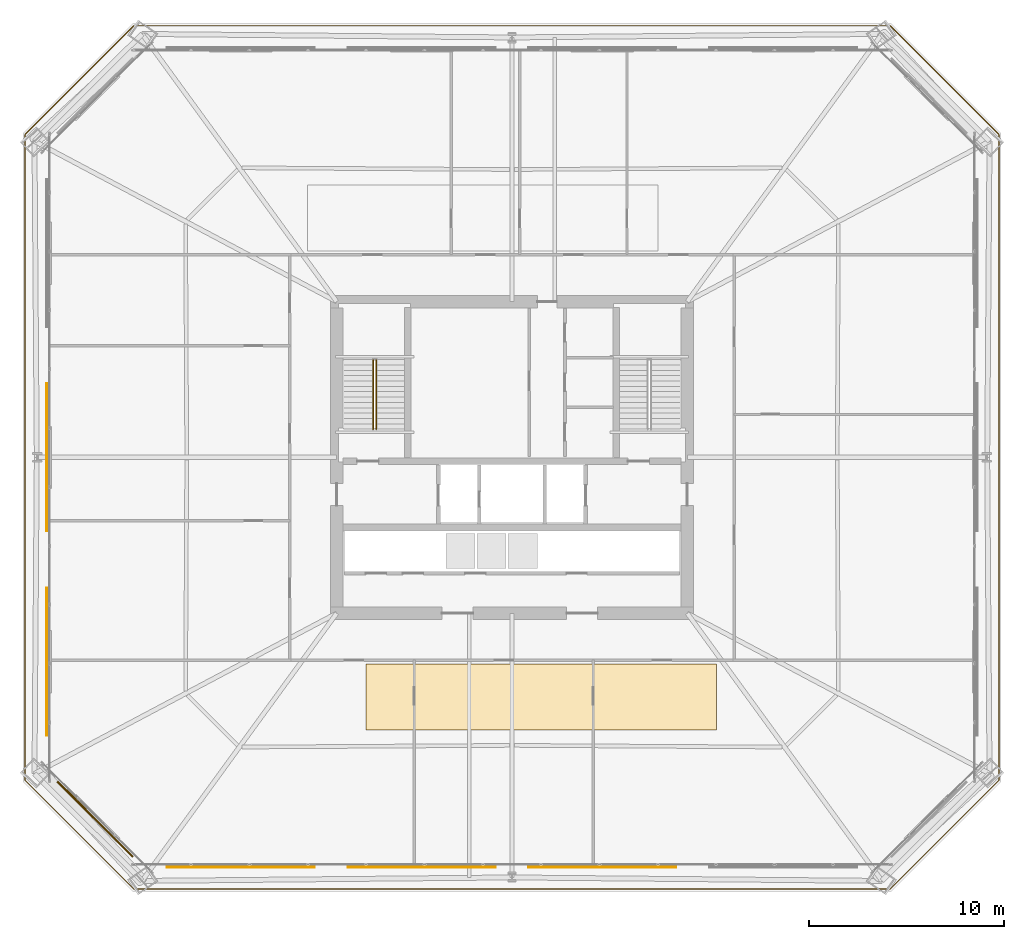
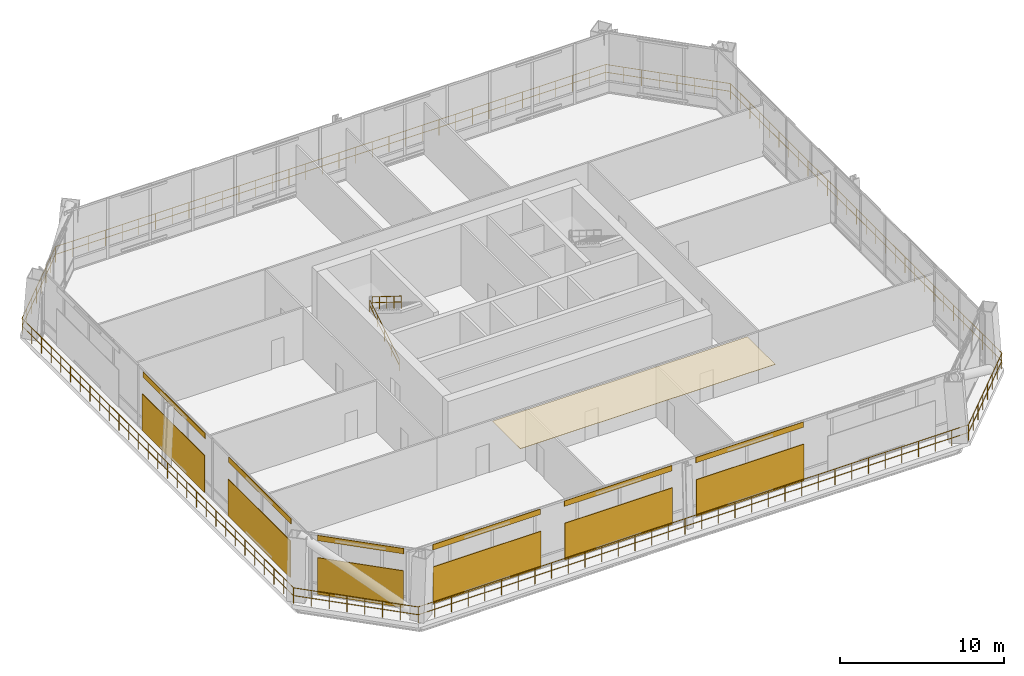
# One storey, part 45 of 48: 7 coverings, 6 shading devices, 3 railings.
"""IFC4 building model written with IfcOpenShell, lengths in metres."""

from ifc_helpers import new_model, si_unit, direction, frame, origin, origin_2d, place, context, subcontext, project, spatial, polyline, rectangle, circle, outline, extrude, material, layer, layer_set, type_object, element, save


model = new_model("IFC4")

# Units and contexts
model_context = context("Model", 3, precision=1e-05, world=origin(), true_north=direction((0.0, 1.0)))
body_context = subcontext(model_context, "Body", "Model", "MODEL_VIEW")
ifc_project = project(units=[si_unit("LENGTHUNIT", "METRE"), si_unit("AREAUNIT", "SQUARE_METRE"), si_unit("VOLUMEUNIT", "CUBIC_METRE"), si_unit("PLANEANGLEUNIT", "RADIAN"), si_unit("MASSUNIT", "GRAM", prefix="KILO")], contexts=[model_context])

# Site, building, storey
site_placement = place(None, origin())
site = spatial("IfcSite", under=ifc_project, at=site_placement, CompositionType="ELEMENT")
building_placement = place(site_placement, origin())
building = spatial("IfcBuilding", under=site, at=building_placement, Name="Caelvoria Tower", CompositionType="ELEMENT")
storey_placement = place(building_placement, frame((0.0, 0.0, 90.39990234375)))
storey = spatial("IfcBuildingStorey", under=building, at=storey_placement, Name="L23", CompositionType="ELEMENT", Elevation=90.39990234375)

# Coverings
ifc_material_1 = material(Name="Acoustic Mineral Fibre Tile", Category="gypsum")
ifc_layer_1 = layer(ifc_material_1, 0.02490234375, Name="Acoustic Mineral Fibre Tile")
ifc_layer_set_1 = layer_set([ifc_layer_1], Name="Mineral-Fibre Acoustic Suspended Ceiling 25 - Acoustic Mineral Fibre Tile")
covering_type_1 = type_object("IfcCoveringType", Name="Mineral-Fibre Acoustic Suspended Ceiling 25", PredefinedType="CEILING", material=ifc_layer_set_1)
covering_1_placement = place(storey_placement, frame((0.0, 0.0, 3.835205078125)))
element("IfcCovering", 1, at=covering_1_placement, inside=storey, type_object=covering_type_1, Name="Suspended Acoustic Ceiling L23", PredefinedType="CEILING", context=body_context, shape_type="SweptSolid", body=[
    extrude(outline(polyline([(38.5, 18.0), (56.5, 18.0), (56.5, 21.39990234375), (38.5, 21.39990234375), (38.5, 18.0)])), origin(), (0.0, 0.0, 1.0), 0.02490234375),
])
ifc_material_2 = material(Name="Perforated Architectural Bronze Cladding Screen", Category="bronze")
ifc_layer_2 = layer(ifc_material_2, 0.0400390625, Name="Perforated Architectural Bronze Cladding Screen")
ifc_layer_set_2 = layer_set([ifc_layer_2], Name="Perforated Bronze Louvre Cladding Band 40 - Perforated Architectural Bronze Cladding Screen")
covering_type_2 = type_object("IfcCoveringType", Name="Perforated Bronze Louvre Cladding Band 40", PredefinedType="CLADDING", material=ifc_layer_set_2)
for number, where, z_axis, x_axis, name in (
    (2, (32.074951171875, 10.99462890625, 4.14013671875), (0.0, 0.0, 1.0), (1.0, 0.0, 0.0), "Perforated Bronze Screen Band L23-E0-00"),
    (3, (41.3583984375, 10.99462890625, 4.14013671875), (0.0, 0.0, 1.0), (1.0, 0.0, 0.0), "Perforated Bronze Screen Band L23-E0-01"),
    (4, (50.6416015625, 10.99462890625, 4.14013671875), (0.0, 0.0, 1.0), (1.0, 0.0, 0.0), "Perforated Bronze Screen Band L23-E0-02"),
    (5, (22.161376953125, 32.0, 4.14013671875), (0.0, 0.0, 1.0), (0.0, -1.0, 0.0), "Perforated Bronze Screen Band L23-E6-01"),
    (6, (22.161376953125, 21.510986328125, 4.14013671875), (0.0, 0.0, 1.0), (0.0, -1.0, 0.0), "Perforated Bronze Screen Band L23-E6-02"),
):
    element("IfcCovering", number, at=place(storey_placement, frame(where, z_axis=z_axis, x_axis=x_axis)), inside=storey, type_object=covering_type_2, Name=name, PredefinedType="CLADDING", context=body_context, shape_type="SweptSolid", body=[
        extrude(rectangle(XDim=7.60009765625, YDim=0.0400390625, at=origin_2d()), origin(), (0.0, 0.0, 1.0), 0.39990234375),
    ])
covering_2_placement = place(storey_placement, frame((24.612060546875, 13.4453125, 4.14013671875), z_axis=(0.0, 0.0, 1.0), x_axis=(0.707106781187, -0.707106781187, 0.0)))
element("IfcCovering", 7, at=covering_2_placement, inside=storey, type_object=covering_type_2, Name="Perforated Bronze Screen Band L23-E7-00", PredefinedType="CLADDING", context=body_context, shape_type="SweptSolid", body=[
    extrude(rectangle(XDim=5.447509765625, YDim=0.0400390625, at=origin_2d()), origin(), (0.0, 0.0, 1.0), 0.39990234375),
])

# Shading devices
ifc_material_3 = material(Name="Perforated Architectural Bronze Alloy Panel", Category="bronze")
ifc_layer_3 = layer(ifc_material_3, 0.044921875, Name="Perforated Architectural Bronze Alloy Panel")
ifc_layer_set_3 = layer_set([ifc_layer_3], Name="Perforated Bronze Solar Screen Panel SCREEN - Perforated Architectural Bronze Alloy Panel")
shading_device_type = type_object("IfcShadingDeviceType", Name="Perforated Bronze Solar Screen Panel SCREEN", PredefinedType="USERDEFINED", material=ifc_layer_set_3)
for number, where, z_axis, x_axis, name in (
    (8, (32.074951171875, 10.95166015625, 0.16015625), (0.0, 0.0, 1.0), (1.0, 0.0, 0.0), "Perforated Bronze Solar Screen L23-E0-00"),
    (9, (41.3583984375, 10.95166015625, 0.16015625), (0.0, 0.0, 1.0), (1.0, 0.0, 0.0), "Perforated Bronze Solar Screen L23-E0-01"),
    (10, (50.6416015625, 10.95166015625, 0.16015625), (0.0, 0.0, 1.0), (1.0, 0.0, 0.0), "Perforated Bronze Solar Screen L23-E0-02"),
    (11, (22.118408203125, 32.0, 0.16015625), (0.0, 0.0, 1.0), (0.0, -1.0, 0.0), "Perforated Bronze Solar Screen L23-E6-01"),
    (12, (22.118408203125, 21.510986328125, 0.16015625), (0.0, 0.0, 1.0), (0.0, -1.0, 0.0), "Perforated Bronze Solar Screen L23-E6-02"),
):
    element("IfcShadingDevice", number, at=place(storey_placement, frame(where, z_axis=z_axis, x_axis=x_axis)), inside=storey, type_object=shading_device_type, Name=name, ObjectType="SCREEN", PredefinedType="USERDEFINED", context=body_context, shape_type="SweptSolid", body=[
        extrude(rectangle(XDim=7.60009765625, YDim=0.044921875, at=origin_2d()), origin(), (0.0, 0.0, 1.0), 2.75),
    ])
shading_device_placement = place(storey_placement, frame((24.58154296875, 13.4150390625, 0.16015625), z_axis=(0.0, 0.0, 1.0), x_axis=(0.707106781187, -0.707106781187, 0.0)))
element("IfcShadingDevice", 13, at=shading_device_placement, inside=storey, type_object=shading_device_type, Name="Perforated Bronze Solar Screen L23-E7-00", ObjectType="SCREEN", PredefinedType="USERDEFINED", context=body_context, shape_type="SweptSolid", body=[
    extrude(rectangle(XDim=5.447509765625, YDim=0.044921875, at=origin_2d()), origin(), (0.0, 0.0, 1.0), 2.75),
])

# Railings
ifc_material_4 = material(Name="Laminated Structural Glass and Bronze Cap Rail", Category="glass")
railing_type_1 = type_object("IfcRailingType", Name="Sky Pool and Podium Glazed Balustrade 1200", PredefinedType="BALUSTRADE", material=ifc_material_4)
railing_1_placement = place(storey_placement, frame((26.5830078125, 9.836669921875, 0.0)))
element("IfcRailing", 14, at=railing_1_placement, inside=storey, type_object=railing_type_1, Name="Sky Lobby L23 Perimeter Maintenance Balustrade", PredefinedType="BALUSTRADE", context=body_context, shape_type="SweptSolid", body=[
    extrude(circle(Radius=0.02392578125, at=origin_2d()), frame((0.0, 0.0, 1.17578125), z_axis=(-0.707091311268, 0.707122250767, 0.0), x_axis=(-0.707122250767, -0.707091311268, 0.0)), (0.0, 0.0, 1.0), 7.890869140625),
    extrude(circle(Radius=0.02392578125, at=origin_2d()), frame((0.0, 0.0, 0.60009765625), z_axis=(-0.707091311268, 0.707122250767, 0.0), x_axis=(-0.707122250767, -0.707091311268, 0.0)), (0.0, 0.0, 1.0), 7.890869140625),
    extrude(circle(Radius=0.02392578125, at=origin_2d()), frame((-5.57958984375, 5.579833984375, 1.17578125), z_axis=(0.0, 1.0, 0.0), x_axis=(-1.0, 0.0, 0.0)), (0.0, 0.0, 1.0), 33.1669921875),
    extrude(circle(Radius=0.02392578125, at=origin_2d()), frame((-5.57958984375, 5.579833984375, 0.60009765625), z_axis=(0.0, 1.0, 0.0), x_axis=(-1.0, 0.0, 0.0)), (0.0, 0.0, 1.0), 33.1669921875),
    extrude(circle(Radius=0.02392578125, at=origin_2d()), frame((-5.57958984375, 38.746826171875, 1.17578125), z_axis=(0.707091311268, 0.707122250767, 0.0), x_axis=(-0.707122250767, 0.707091311268, 0.0)), (0.0, 0.0, 1.0), 7.890869140625),
    extrude(circle(Radius=0.02392578125, at=origin_2d()), frame((-5.57958984375, 38.746826171875, 0.60009765625), z_axis=(0.707091311268, 0.707122250767, 0.0), x_axis=(-0.707122250767, 0.707091311268, 0.0)), (0.0, 0.0, 1.0), 7.890869140625),
    extrude(circle(Radius=0.02392578125, at=origin_2d()), frame((0.0, 44.32666015625, 1.17578125), z_axis=(1.0, 0.0, 0.0), x_axis=(0.0, 1.0, 0.0)), (0.0, 0.0, 1.0), 38.833984375),
    extrude(circle(Radius=0.02392578125, at=origin_2d()), frame((0.0, 44.32666015625, 0.60009765625), z_axis=(1.0, 0.0, 0.0), x_axis=(0.0, 1.0, 0.0)), (0.0, 0.0, 1.0), 38.833984375),
    extrude(circle(Radius=0.02392578125, at=origin_2d()), frame((38.833984375, 44.32666015625, 1.17578125), z_axis=(0.707091311268, -0.707122250767, 0.0), x_axis=(0.707122250767, 0.707091311268, 0.0)), (0.0, 0.0, 1.0), 7.890869140625),
    extrude(circle(Radius=0.02392578125, at=origin_2d()), frame((38.833984375, 44.32666015625, 0.60009765625), z_axis=(0.707091311268, -0.707122250767, 0.0), x_axis=(0.707122250767, 0.707091311268, 0.0)), (0.0, 0.0, 1.0), 7.890869140625),
    extrude(circle(Radius=0.02392578125, at=origin_2d()), frame((44.41357421875, 38.746826171875, 1.17578125), z_axis=(0.0, -1.0, 0.0), x_axis=(1.0, 0.0, 0.0)), (0.0, 0.0, 1.0), 33.1669921875),
    extrude(circle(Radius=0.02392578125, at=origin_2d()), frame((44.41357421875, 38.746826171875, 0.60009765625), z_axis=(0.0, -1.0, 0.0), x_axis=(1.0, 0.0, 0.0)), (0.0, 0.0, 1.0), 33.1669921875),
    extrude(circle(Radius=0.02392578125, at=origin_2d()), frame((44.41357421875, 5.579833984375, 1.17578125), z_axis=(-0.707091311268, -0.707122250767, 0.0), x_axis=(0.707122250767, -0.707091311268, 0.0)), (0.0, 0.0, 1.0), 7.890869140625),
    extrude(circle(Radius=0.02392578125, at=origin_2d()), frame((44.41357421875, 5.579833984375, 0.60009765625), z_axis=(-0.707091311268, -0.707122250767, 0.0), x_axis=(0.707122250767, -0.707091311268, 0.0)), (0.0, 0.0, 1.0), 7.890869140625),
    extrude(circle(Radius=0.02392578125, at=origin_2d()), frame((38.833984375, 0.0, 1.17578125), z_axis=(-1.0, 0.0, 0.0), x_axis=(0.0, -1.0, 0.0)), (0.0, 0.0, 1.0), 38.833984375),
    extrude(circle(Radius=0.02392578125, at=origin_2d()), frame((38.833984375, 0.0, 0.60009765625), z_axis=(-1.0, 0.0, 0.0), x_axis=(0.0, -1.0, 0.0)), (0.0, 0.0, 1.0), 38.833984375),
    extrude(circle(Radius=0.02099609375, at=origin_2d()), origin(), (0.0, 0.0, 1.0), 1.15185546875),
    extrude(circle(Radius=0.02099609375, at=origin_2d()), frame((-0.797119140625, 0.797119140625, 0.0)), (0.0, 0.0, 1.0), 1.15185546875),
    extrude(circle(Radius=0.02099609375, at=origin_2d()), frame((-1.59423828125, 1.59423828125, 0.0)), (0.0, 0.0, 1.0), 1.15185546875),
    extrude(circle(Radius=0.02099609375, at=origin_2d()), frame((-2.391357421875, 2.391357421875, 0.0)), (0.0, 0.0, 1.0), 1.15185546875),
    extrude(circle(Radius=0.02099609375, at=origin_2d()), frame((-3.188232421875, 3.1884765625, 0.0)), (0.0, 0.0, 1.0), 1.15185546875),
    extrude(circle(Radius=0.02099609375, at=origin_2d()), frame((-3.9853515625, 3.985595703125, 0.0)), (0.0, 0.0, 1.0), 1.15185546875),
    extrude(circle(Radius=0.02099609375, at=origin_2d()), frame((-4.782470703125, 4.78271484375, 0.0)), (0.0, 0.0, 1.0), 1.15185546875),
    extrude(circle(Radius=0.02099609375, at=origin_2d()), frame((-5.57958984375, 5.579833984375, 0.0)), (0.0, 0.0, 1.0), 1.15185546875),
    extrude(circle(Radius=0.02099609375, at=origin_2d()), frame((-5.57958984375, 6.764404296875, 0.0)), (0.0, 0.0, 1.0), 1.15185546875),
    extrude(circle(Radius=0.02099609375, at=origin_2d()), frame((-5.57958984375, 7.948974609375, 0.0)), (0.0, 0.0, 1.0), 1.15185546875),
    extrude(circle(Radius=0.02099609375, at=origin_2d()), frame((-5.57958984375, 9.133544921875, 0.0)), (0.0, 0.0, 1.0), 1.15185546875),
    extrude(circle(Radius=0.02099609375, at=origin_2d()), frame((-5.57958984375, 10.31787109375, 0.0)), (0.0, 0.0, 1.0), 1.15185546875),
    extrude(circle(Radius=0.02099609375, at=origin_2d()), frame((-5.57958984375, 11.50244140625, 0.0)), (0.0, 0.0, 1.0), 1.15185546875),
    extrude(circle(Radius=0.02099609375, at=origin_2d()), frame((-5.57958984375, 12.68701171875, 0.0)), (0.0, 0.0, 1.0), 1.15185546875),
    extrude(circle(Radius=0.02099609375, at=origin_2d()), frame((-5.57958984375, 13.87158203125, 0.0)), (0.0, 0.0, 1.0), 1.15185546875),
    extrude(circle(Radius=0.02099609375, at=origin_2d()), frame((-5.57958984375, 15.05615234375, 0.0)), (0.0, 0.0, 1.0), 1.15185546875),
    extrude(circle(Radius=0.02099609375, at=origin_2d()), frame((-5.57958984375, 16.24072265625, 0.0)), (0.0, 0.0, 1.0), 1.15185546875),
    extrude(circle(Radius=0.02099609375, at=origin_2d()), frame((-5.57958984375, 17.42529296875, 0.0)), (0.0, 0.0, 1.0), 1.15185546875),
    extrude(circle(Radius=0.02099609375, at=origin_2d()), frame((-5.57958984375, 18.609619140625, 0.0)), (0.0, 0.0, 1.0), 1.15185546875),
    extrude(circle(Radius=0.02099609375, at=origin_2d()), frame((-5.57958984375, 19.794189453125, 0.0)), (0.0, 0.0, 1.0), 1.15185546875),
    extrude(circle(Radius=0.02099609375, at=origin_2d()), frame((-5.57958984375, 20.978759765625, 0.0)), (0.0, 0.0, 1.0), 1.15185546875),
    extrude(circle(Radius=0.02099609375, at=origin_2d()), frame((-5.57958984375, 22.163330078125, 0.0)), (0.0, 0.0, 1.0), 1.15185546875),
    extrude(circle(Radius=0.02099609375, at=origin_2d()), frame((-5.57958984375, 23.347900390625, 0.0)), (0.0, 0.0, 1.0), 1.15185546875),
    extrude(circle(Radius=0.02099609375, at=origin_2d()), frame((-5.57958984375, 24.532470703125, 0.0)), (0.0, 0.0, 1.0), 1.15185546875),
    extrude(circle(Radius=0.02099609375, at=origin_2d()), frame((-5.57958984375, 25.717041015625, 0.0)), (0.0, 0.0, 1.0), 1.15185546875),
    extrude(circle(Radius=0.02099609375, at=origin_2d()), frame((-5.57958984375, 26.9013671875, 0.0)), (0.0, 0.0, 1.0), 1.15185546875),
    extrude(circle(Radius=0.02099609375, at=origin_2d()), frame((-5.57958984375, 28.0859375, 0.0)), (0.0, 0.0, 1.0), 1.15185546875),
    extrude(circle(Radius=0.02099609375, at=origin_2d()), frame((-5.57958984375, 29.2705078125, 0.0)), (0.0, 0.0, 1.0), 1.15185546875),
    extrude(circle(Radius=0.02099609375, at=origin_2d()), frame((-5.57958984375, 30.455078125, 0.0)), (0.0, 0.0, 1.0), 1.15185546875),
    extrude(circle(Radius=0.02099609375, at=origin_2d()), frame((-5.57958984375, 31.6396484375, 0.0)), (0.0, 0.0, 1.0), 1.15185546875),
    extrude(circle(Radius=0.02099609375, at=origin_2d()), frame((-5.57958984375, 32.82421875, 0.0)), (0.0, 0.0, 1.0), 1.15185546875),
    extrude(circle(Radius=0.02099609375, at=origin_2d()), frame((-5.57958984375, 34.0087890625, 0.0)), (0.0, 0.0, 1.0), 1.15185546875),
    extrude(circle(Radius=0.02099609375, at=origin_2d()), frame((-5.57958984375, 35.193115234375, 0.0)), (0.0, 0.0, 1.0), 1.15185546875),
    extrude(circle(Radius=0.02099609375, at=origin_2d()), frame((-5.57958984375, 36.377685546875, 0.0)), (0.0, 0.0, 1.0), 1.15185546875),
    extrude(circle(Radius=0.02099609375, at=origin_2d()), frame((-5.57958984375, 37.562255859375, 0.0)), (0.0, 0.0, 1.0), 1.15185546875),
    extrude(circle(Radius=0.02099609375, at=origin_2d()), frame((-5.57958984375, 38.746826171875, 0.0)), (0.0, 0.0, 1.0), 1.15185546875),
    extrude(circle(Radius=0.02099609375, at=origin_2d()), frame((-4.782470703125, 39.5439453125, 0.0)), (0.0, 0.0, 1.0), 1.15185546875),
    extrude(circle(Radius=0.02099609375, at=origin_2d()), frame((-3.9853515625, 40.341064453125, 0.0)), (0.0, 0.0, 1.0), 1.15185546875),
    extrude(circle(Radius=0.02099609375, at=origin_2d()), frame((-3.188232421875, 41.13818359375, 0.0)), (0.0, 0.0, 1.0), 1.15185546875),
    extrude(circle(Radius=0.02099609375, at=origin_2d()), frame((-2.391357421875, 41.935302734375, 0.0)), (0.0, 0.0, 1.0), 1.15185546875),
    extrude(circle(Radius=0.02099609375, at=origin_2d()), frame((-1.59423828125, 42.732421875, 0.0)), (0.0, 0.0, 1.0), 1.15185546875),
    extrude(circle(Radius=0.02099609375, at=origin_2d()), frame((-0.797119140625, 43.529541015625, 0.0)), (0.0, 0.0, 1.0), 1.15185546875),
    extrude(circle(Radius=0.02099609375, at=origin_2d()), frame((0.0, 44.32666015625, 0.0)), (0.0, 0.0, 1.0), 1.15185546875),
    extrude(circle(Radius=0.02099609375, at=origin_2d()), frame((1.1767578125, 44.32666015625, 0.0)), (0.0, 0.0, 1.0), 1.15185546875),
    extrude(circle(Radius=0.02099609375, at=origin_2d()), frame((2.353515625, 44.32666015625, 0.0)), (0.0, 0.0, 1.0), 1.15185546875),
    extrude(circle(Radius=0.02099609375, at=origin_2d()), frame((3.5302734375, 44.32666015625, 0.0)), (0.0, 0.0, 1.0), 1.15185546875),
    extrude(circle(Radius=0.02099609375, at=origin_2d()), frame((4.70703125, 44.32666015625, 0.0)), (0.0, 0.0, 1.0), 1.15185546875),
    extrude(circle(Radius=0.02099609375, at=origin_2d()), frame((5.884033203125, 44.32666015625, 0.0)), (0.0, 0.0, 1.0), 1.15185546875),
    extrude(circle(Radius=0.02099609375, at=origin_2d()), frame((7.060791015625, 44.32666015625, 0.0)), (0.0, 0.0, 1.0), 1.15185546875),
    extrude(circle(Radius=0.02099609375, at=origin_2d()), frame((8.237548828125, 44.32666015625, 0.0)), (0.0, 0.0, 1.0), 1.15185546875),
    extrude(circle(Radius=0.02099609375, at=origin_2d()), frame((9.414306640625, 44.32666015625, 0.0)), (0.0, 0.0, 1.0), 1.15185546875),
    extrude(circle(Radius=0.02099609375, at=origin_2d()), frame((10.591064453125, 44.32666015625, 0.0)), (0.0, 0.0, 1.0), 1.15185546875),
    extrude(circle(Radius=0.02099609375, at=origin_2d()), frame((11.767822265625, 44.32666015625, 0.0)), (0.0, 0.0, 1.0), 1.15185546875),
    extrude(circle(Radius=0.02099609375, at=origin_2d()), frame((12.944580078125, 44.32666015625, 0.0)), (0.0, 0.0, 1.0), 1.15185546875),
    extrude(circle(Radius=0.02099609375, at=origin_2d()), frame((14.121337890625, 44.32666015625, 0.0)), (0.0, 0.0, 1.0), 1.15185546875),
    extrude(circle(Radius=0.02099609375, at=origin_2d()), frame((15.29833984375, 44.32666015625, 0.0)), (0.0, 0.0, 1.0), 1.15185546875),
    extrude(circle(Radius=0.02099609375, at=origin_2d()), frame((16.47509765625, 44.32666015625, 0.0)), (0.0, 0.0, 1.0), 1.15185546875),
    extrude(circle(Radius=0.02099609375, at=origin_2d()), frame((17.65185546875, 44.32666015625, 0.0)), (0.0, 0.0, 1.0), 1.15185546875),
    extrude(circle(Radius=0.02099609375, at=origin_2d()), frame((18.82861328125, 44.32666015625, 0.0)), (0.0, 0.0, 1.0), 1.15185546875),
    extrude(circle(Radius=0.02099609375, at=origin_2d()), frame((20.00537109375, 44.32666015625, 0.0)), (0.0, 0.0, 1.0), 1.15185546875),
    extrude(circle(Radius=0.02099609375, at=origin_2d()), frame((21.18212890625, 44.32666015625, 0.0)), (0.0, 0.0, 1.0), 1.15185546875),
    extrude(circle(Radius=0.02099609375, at=origin_2d()), frame((22.35888671875, 44.32666015625, 0.0)), (0.0, 0.0, 1.0), 1.15185546875),
    extrude(circle(Radius=0.02099609375, at=origin_2d()), frame((23.53564453125, 44.32666015625, 0.0)), (0.0, 0.0, 1.0), 1.15185546875),
    extrude(circle(Radius=0.02099609375, at=origin_2d()), frame((24.712646484375, 44.32666015625, 0.0)), (0.0, 0.0, 1.0), 1.15185546875),
    extrude(circle(Radius=0.02099609375, at=origin_2d()), frame((25.889404296875, 44.32666015625, 0.0)), (0.0, 0.0, 1.0), 1.15185546875),
    extrude(circle(Radius=0.02099609375, at=origin_2d()), frame((27.066162109375, 44.32666015625, 0.0)), (0.0, 0.0, 1.0), 1.15185546875),
    extrude(circle(Radius=0.02099609375, at=origin_2d()), frame((28.242919921875, 44.32666015625, 0.0)), (0.0, 0.0, 1.0), 1.15185546875),
    extrude(circle(Radius=0.02099609375, at=origin_2d()), frame((29.419677734375, 44.32666015625, 0.0)), (0.0, 0.0, 1.0), 1.15185546875),
    extrude(circle(Radius=0.02099609375, at=origin_2d()), frame((30.596435546875, 44.32666015625, 0.0)), (0.0, 0.0, 1.0), 1.15185546875),
    extrude(circle(Radius=0.02099609375, at=origin_2d()), frame((31.773193359375, 44.32666015625, 0.0)), (0.0, 0.0, 1.0), 1.15185546875),
    extrude(circle(Radius=0.02099609375, at=origin_2d()), frame((32.949951171875, 44.32666015625, 0.0)), (0.0, 0.0, 1.0), 1.15185546875),
    extrude(circle(Radius=0.02099609375, at=origin_2d()), frame((34.126953125, 44.32666015625, 0.0)), (0.0, 0.0, 1.0), 1.15185546875),
    extrude(circle(Radius=0.02099609375, at=origin_2d()), frame((35.3037109375, 44.32666015625, 0.0)), (0.0, 0.0, 1.0), 1.15185546875),
    extrude(circle(Radius=0.02099609375, at=origin_2d()), frame((36.48046875, 44.32666015625, 0.0)), (0.0, 0.0, 1.0), 1.15185546875),
    extrude(circle(Radius=0.02099609375, at=origin_2d()), frame((37.6572265625, 44.32666015625, 0.0)), (0.0, 0.0, 1.0), 1.15185546875),
    extrude(circle(Radius=0.02099609375, at=origin_2d()), frame((38.833984375, 44.32666015625, 0.0)), (0.0, 0.0, 1.0), 1.15185546875),
    extrude(circle(Radius=0.02099609375, at=origin_2d()), frame((39.631103515625, 43.529541015625, 0.0)), (0.0, 0.0, 1.0), 1.15185546875),
    extrude(circle(Radius=0.02099609375, at=origin_2d()), frame((40.42822265625, 42.732421875, 0.0)), (0.0, 0.0, 1.0), 1.15185546875),
    extrude(circle(Radius=0.02099609375, at=origin_2d()), frame((41.225341796875, 41.935302734375, 0.0)), (0.0, 0.0, 1.0), 1.15185546875),
    extrude(circle(Radius=0.02099609375, at=origin_2d()), frame((42.022216796875, 41.13818359375, 0.0)), (0.0, 0.0, 1.0), 1.15185546875),
    extrude(circle(Radius=0.02099609375, at=origin_2d()), frame((42.8193359375, 40.341064453125, 0.0)), (0.0, 0.0, 1.0), 1.15185546875),
    extrude(circle(Radius=0.02099609375, at=origin_2d()), frame((43.616455078125, 39.5439453125, 0.0)), (0.0, 0.0, 1.0), 1.15185546875),
    extrude(circle(Radius=0.02099609375, at=origin_2d()), frame((44.41357421875, 38.746826171875, 0.0)), (0.0, 0.0, 1.0), 1.15185546875),
    extrude(circle(Radius=0.02099609375, at=origin_2d()), frame((44.41357421875, 37.562255859375, 0.0)), (0.0, 0.0, 1.0), 1.15185546875),
    extrude(circle(Radius=0.02099609375, at=origin_2d()), frame((44.41357421875, 36.377685546875, 0.0)), (0.0, 0.0, 1.0), 1.15185546875),
    extrude(circle(Radius=0.02099609375, at=origin_2d()), frame((44.41357421875, 35.193115234375, 0.0)), (0.0, 0.0, 1.0), 1.15185546875),
    extrude(circle(Radius=0.02099609375, at=origin_2d()), frame((44.41357421875, 34.0087890625, 0.0)), (0.0, 0.0, 1.0), 1.15185546875),
    extrude(circle(Radius=0.02099609375, at=origin_2d()), frame((44.41357421875, 32.82421875, 0.0)), (0.0, 0.0, 1.0), 1.15185546875),
    extrude(circle(Radius=0.02099609375, at=origin_2d()), frame((44.41357421875, 31.6396484375, 0.0)), (0.0, 0.0, 1.0), 1.15185546875),
    extrude(circle(Radius=0.02099609375, at=origin_2d()), frame((44.41357421875, 30.455078125, 0.0)), (0.0, 0.0, 1.0), 1.15185546875),
    extrude(circle(Radius=0.02099609375, at=origin_2d()), frame((44.41357421875, 29.2705078125, 0.0)), (0.0, 0.0, 1.0), 1.15185546875),
    extrude(circle(Radius=0.02099609375, at=origin_2d()), frame((44.41357421875, 28.0859375, 0.0)), (0.0, 0.0, 1.0), 1.15185546875),
    extrude(circle(Radius=0.02099609375, at=origin_2d()), frame((44.41357421875, 26.9013671875, 0.0)), (0.0, 0.0, 1.0), 1.15185546875),
    extrude(circle(Radius=0.02099609375, at=origin_2d()), frame((44.41357421875, 25.717041015625, 0.0)), (0.0, 0.0, 1.0), 1.15185546875),
    extrude(circle(Radius=0.02099609375, at=origin_2d()), frame((44.41357421875, 24.532470703125, 0.0)), (0.0, 0.0, 1.0), 1.15185546875),
    extrude(circle(Radius=0.02099609375, at=origin_2d()), frame((44.41357421875, 23.347900390625, 0.0)), (0.0, 0.0, 1.0), 1.15185546875),
    extrude(circle(Radius=0.02099609375, at=origin_2d()), frame((44.41357421875, 22.163330078125, 0.0)), (0.0, 0.0, 1.0), 1.15185546875),
    extrude(circle(Radius=0.02099609375, at=origin_2d()), frame((44.41357421875, 20.978759765625, 0.0)), (0.0, 0.0, 1.0), 1.15185546875),
    extrude(circle(Radius=0.02099609375, at=origin_2d()), frame((44.41357421875, 19.794189453125, 0.0)), (0.0, 0.0, 1.0), 1.15185546875),
    extrude(circle(Radius=0.02099609375, at=origin_2d()), frame((44.41357421875, 18.609619140625, 0.0)), (0.0, 0.0, 1.0), 1.15185546875),
    extrude(circle(Radius=0.02099609375, at=origin_2d()), frame((44.41357421875, 17.42529296875, 0.0)), (0.0, 0.0, 1.0), 1.15185546875),
    extrude(circle(Radius=0.02099609375, at=origin_2d()), frame((44.41357421875, 16.24072265625, 0.0)), (0.0, 0.0, 1.0), 1.15185546875),
    extrude(circle(Radius=0.02099609375, at=origin_2d()), frame((44.41357421875, 15.05615234375, 0.0)), (0.0, 0.0, 1.0), 1.15185546875),
    extrude(circle(Radius=0.02099609375, at=origin_2d()), frame((44.41357421875, 13.87158203125, 0.0)), (0.0, 0.0, 1.0), 1.15185546875),
    extrude(circle(Radius=0.02099609375, at=origin_2d()), frame((44.41357421875, 12.68701171875, 0.0)), (0.0, 0.0, 1.0), 1.15185546875),
    extrude(circle(Radius=0.02099609375, at=origin_2d()), frame((44.41357421875, 11.50244140625, 0.0)), (0.0, 0.0, 1.0), 1.15185546875),
    extrude(circle(Radius=0.02099609375, at=origin_2d()), frame((44.41357421875, 10.31787109375, 0.0)), (0.0, 0.0, 1.0), 1.15185546875),
    extrude(circle(Radius=0.02099609375, at=origin_2d()), frame((44.41357421875, 9.133544921875, 0.0)), (0.0, 0.0, 1.0), 1.15185546875),
    extrude(circle(Radius=0.02099609375, at=origin_2d()), frame((44.41357421875, 7.948974609375, 0.0)), (0.0, 0.0, 1.0), 1.15185546875),
    extrude(circle(Radius=0.02099609375, at=origin_2d()), frame((44.41357421875, 6.764404296875, 0.0)), (0.0, 0.0, 1.0), 1.15185546875),
    extrude(circle(Radius=0.02099609375, at=origin_2d()), frame((44.41357421875, 5.579833984375, 0.0)), (0.0, 0.0, 1.0), 1.15185546875),
    extrude(circle(Radius=0.02099609375, at=origin_2d()), frame((43.616455078125, 4.78271484375, 0.0)), (0.0, 0.0, 1.0), 1.15185546875),
    extrude(circle(Radius=0.02099609375, at=origin_2d()), frame((42.8193359375, 3.985595703125, 0.0)), (0.0, 0.0, 1.0), 1.15185546875),
    extrude(circle(Radius=0.02099609375, at=origin_2d()), frame((42.022216796875, 3.1884765625, 0.0)), (0.0, 0.0, 1.0), 1.15185546875),
    extrude(circle(Radius=0.02099609375, at=origin_2d()), frame((41.225341796875, 2.391357421875, 0.0)), (0.0, 0.0, 1.0), 1.15185546875),
    extrude(circle(Radius=0.02099609375, at=origin_2d()), frame((40.42822265625, 1.59423828125, 0.0)), (0.0, 0.0, 1.0), 1.15185546875),
    extrude(circle(Radius=0.02099609375, at=origin_2d()), frame((39.631103515625, 0.797119140625, 0.0)), (0.0, 0.0, 1.0), 1.15185546875),
    extrude(circle(Radius=0.02099609375, at=origin_2d()), frame((38.833984375, 0.0, 0.0)), (0.0, 0.0, 1.0), 1.15185546875),
    extrude(circle(Radius=0.02099609375, at=origin_2d()), frame((37.6572265625, 0.0, 0.0)), (0.0, 0.0, 1.0), 1.15185546875),
    extrude(circle(Radius=0.02099609375, at=origin_2d()), frame((36.48046875, 0.0, 0.0)), (0.0, 0.0, 1.0), 1.15185546875),
    extrude(circle(Radius=0.02099609375, at=origin_2d()), frame((35.3037109375, 0.0, 0.0)), (0.0, 0.0, 1.0), 1.15185546875),
    extrude(circle(Radius=0.02099609375, at=origin_2d()), frame((34.126953125, 0.0, 0.0)), (0.0, 0.0, 1.0), 1.15185546875),
    extrude(circle(Radius=0.02099609375, at=origin_2d()), frame((32.949951171875, 0.0, 0.0)), (0.0, 0.0, 1.0), 1.15185546875),
    extrude(circle(Radius=0.02099609375, at=origin_2d()), frame((31.773193359375, 0.0, 0.0)), (0.0, 0.0, 1.0), 1.15185546875),
    extrude(circle(Radius=0.02099609375, at=origin_2d()), frame((30.596435546875, 0.0, 0.0)), (0.0, 0.0, 1.0), 1.15185546875),
    extrude(circle(Radius=0.02099609375, at=origin_2d()), frame((29.419677734375, 0.0, 0.0)), (0.0, 0.0, 1.0), 1.15185546875),
    extrude(circle(Radius=0.02099609375, at=origin_2d()), frame((28.242919921875, 0.0, 0.0)), (0.0, 0.0, 1.0), 1.15185546875),
    extrude(circle(Radius=0.02099609375, at=origin_2d()), frame((27.066162109375, 0.0, 0.0)), (0.0, 0.0, 1.0), 1.15185546875),
    extrude(circle(Radius=0.02099609375, at=origin_2d()), frame((25.889404296875, 0.0, 0.0)), (0.0, 0.0, 1.0), 1.15185546875),
    extrude(circle(Radius=0.02099609375, at=origin_2d()), frame((24.712646484375, 0.0, 0.0)), (0.0, 0.0, 1.0), 1.15185546875),
    extrude(circle(Radius=0.02099609375, at=origin_2d()), frame((23.53564453125, 0.0, 0.0)), (0.0, 0.0, 1.0), 1.15185546875),
    extrude(circle(Radius=0.02099609375, at=origin_2d()), frame((22.35888671875, 0.0, 0.0)), (0.0, 0.0, 1.0), 1.15185546875),
    extrude(circle(Radius=0.02099609375, at=origin_2d()), frame((21.18212890625, 0.0, 0.0)), (0.0, 0.0, 1.0), 1.15185546875),
    extrude(circle(Radius=0.02099609375, at=origin_2d()), frame((20.00537109375, 0.0, 0.0)), (0.0, 0.0, 1.0), 1.15185546875),
    extrude(circle(Radius=0.02099609375, at=origin_2d()), frame((18.82861328125, 0.0, 0.0)), (0.0, 0.0, 1.0), 1.15185546875),
    extrude(circle(Radius=0.02099609375, at=origin_2d()), frame((17.65185546875, 0.0, 0.0)), (0.0, 0.0, 1.0), 1.15185546875),
    extrude(circle(Radius=0.02099609375, at=origin_2d()), frame((16.47509765625, 0.0, 0.0)), (0.0, 0.0, 1.0), 1.15185546875),
    extrude(circle(Radius=0.02099609375, at=origin_2d()), frame((15.29833984375, 0.0, 0.0)), (0.0, 0.0, 1.0), 1.15185546875),
    extrude(circle(Radius=0.02099609375, at=origin_2d()), frame((14.121337890625, 0.0, 0.0)), (0.0, 0.0, 1.0), 1.15185546875),
    extrude(circle(Radius=0.02099609375, at=origin_2d()), frame((12.944580078125, 0.0, 0.0)), (0.0, 0.0, 1.0), 1.15185546875),
    extrude(circle(Radius=0.02099609375, at=origin_2d()), frame((11.767822265625, 0.0, 0.0)), (0.0, 0.0, 1.0), 1.15185546875),
    extrude(circle(Radius=0.02099609375, at=origin_2d()), frame((10.591064453125, 0.0, 0.0)), (0.0, 0.0, 1.0), 1.15185546875),
    extrude(circle(Radius=0.02099609375, at=origin_2d()), frame((9.414306640625, 0.0, 0.0)), (0.0, 0.0, 1.0), 1.15185546875),
    extrude(circle(Radius=0.02099609375, at=origin_2d()), frame((8.237548828125, 0.0, 0.0)), (0.0, 0.0, 1.0), 1.15185546875),
    extrude(circle(Radius=0.02099609375, at=origin_2d()), frame((7.060791015625, 0.0, 0.0)), (0.0, 0.0, 1.0), 1.15185546875),
    extrude(circle(Radius=0.02099609375, at=origin_2d()), frame((5.884033203125, 0.0, 0.0)), (0.0, 0.0, 1.0), 1.15185546875),
    extrude(circle(Radius=0.02099609375, at=origin_2d()), frame((4.70703125, 0.0, 0.0)), (0.0, 0.0, 1.0), 1.15185546875),
    extrude(circle(Radius=0.02099609375, at=origin_2d()), frame((3.5302734375, 0.0, 0.0)), (0.0, 0.0, 1.0), 1.15185546875),
    extrude(circle(Radius=0.02099609375, at=origin_2d()), frame((2.353515625, 0.0, 0.0)), (0.0, 0.0, 1.0), 1.15185546875),
    extrude(circle(Radius=0.02099609375, at=origin_2d()), frame((1.1767578125, 0.0, 0.0)), (0.0, 0.0, 1.0), 1.15185546875),
])
ifc_material_5 = material(Name="Brushed Stainless Steel Tube", Category="steel")
railing_type_2 = type_object("IfcRailingType", Name="Stair Tubular Stainless Handrail 920", PredefinedType="HANDRAIL", material=ifc_material_5)
railing_2_placement = place(storey_placement, frame((38.8701171875, 33.449951171875, 0.17138671875)))
element("IfcRailing", 15, at=railing_2_placement, inside=storey, type_object=railing_type_2, Name="ST-01 Flight 1 Handrail L23", PredefinedType="HANDRAIL", context=body_context, shape_type="SweptSolid", body=[
    extrude(circle(Radius=0.02392578125, at=origin_2d()), frame((0.0, 0.0, 0.89599609375), z_axis=(0.0, 0.848593568547, 0.529045324542), x_axis=(-1.0, 0.0, 0.0)), (0.0, 0.0, 1.0), 4.212890625),
    extrude(circle(Radius=0.02392578125, at=origin_2d()), frame((0.0, 0.0, 0.4599609375), z_axis=(0.0, 0.848593568547, 0.529045324542), x_axis=(-1.0, 0.0, 0.0)), (0.0, 0.0, 1.0), 4.212890625),
    extrude(circle(Radius=0.02099609375, at=origin_2d()), origin(), (0.0, 0.0, 1.0), 0.871826171875),
    extrude(circle(Radius=0.02099609375, at=origin_2d()), frame((0.0, 0.893798828125, 0.55712890625)), (0.0, 0.0, 1.0), 0.871826171875),
    extrude(circle(Radius=0.02099609375, at=origin_2d()), frame((0.0, 1.78759765625, 1.1142578125)), (0.0, 0.0, 1.0), 0.871826171875),
    extrude(circle(Radius=0.02099609375, at=origin_2d()), frame((0.0, 2.68115234375, 1.671630859375)), (0.0, 0.0, 1.0), 0.871826171875),
    extrude(circle(Radius=0.02099609375, at=origin_2d()), frame((0.0, 3.574951171875, 2.228759765625)), (0.0, 0.0, 1.0), 0.871826171875),
])
railing_3_placement = place(storey_placement, frame((39.030029296875, 37.02490234375, 2.571533203125)))
element("IfcRailing", 16, at=railing_3_placement, inside=storey, type_object=railing_type_2, Name="ST-01 Flight 2 Handrail L23", PredefinedType="HANDRAIL", context=body_context, shape_type="SweptSolid", body=[
    extrude(circle(Radius=0.02392578125, at=origin_2d()), frame((0.0, 0.0, 0.89599609375), z_axis=(0.0, -0.848619585623, 0.529003590628), x_axis=(1.0, 0.0, 0.0)), (0.0, 0.0, 1.0), 4.212646484375),
    extrude(circle(Radius=0.02392578125, at=origin_2d()), frame((0.0, 0.0, 0.4599609375), z_axis=(0.0, -0.848619585623, 0.529003590628), x_axis=(1.0, 0.0, 0.0)), (0.0, 0.0, 1.0), 4.212646484375),
    extrude(circle(Radius=0.02099609375, at=origin_2d()), origin(), (0.0, 0.0, 1.0), 0.871826171875),
    extrude(circle(Radius=0.02099609375, at=origin_2d()), frame((0.0, -0.893798828125, 0.55712890625)), (0.0, 0.0, 1.0), 0.871826171875),
    extrude(circle(Radius=0.02099609375, at=origin_2d()), frame((0.0, -1.78759765625, 1.1142578125)), (0.0, 0.0, 1.0), 0.871826171875),
    extrude(circle(Radius=0.02099609375, at=origin_2d()), frame((0.0, -2.68115234375, 1.67138671875)), (0.0, 0.0, 1.0), 0.871826171875),
    extrude(circle(Radius=0.02099609375, at=origin_2d()), frame((0.0, -3.574951171875, 2.228515625)), (0.0, 0.0, 1.0), 0.871826171875),
])

save(model, "model.ifc")
